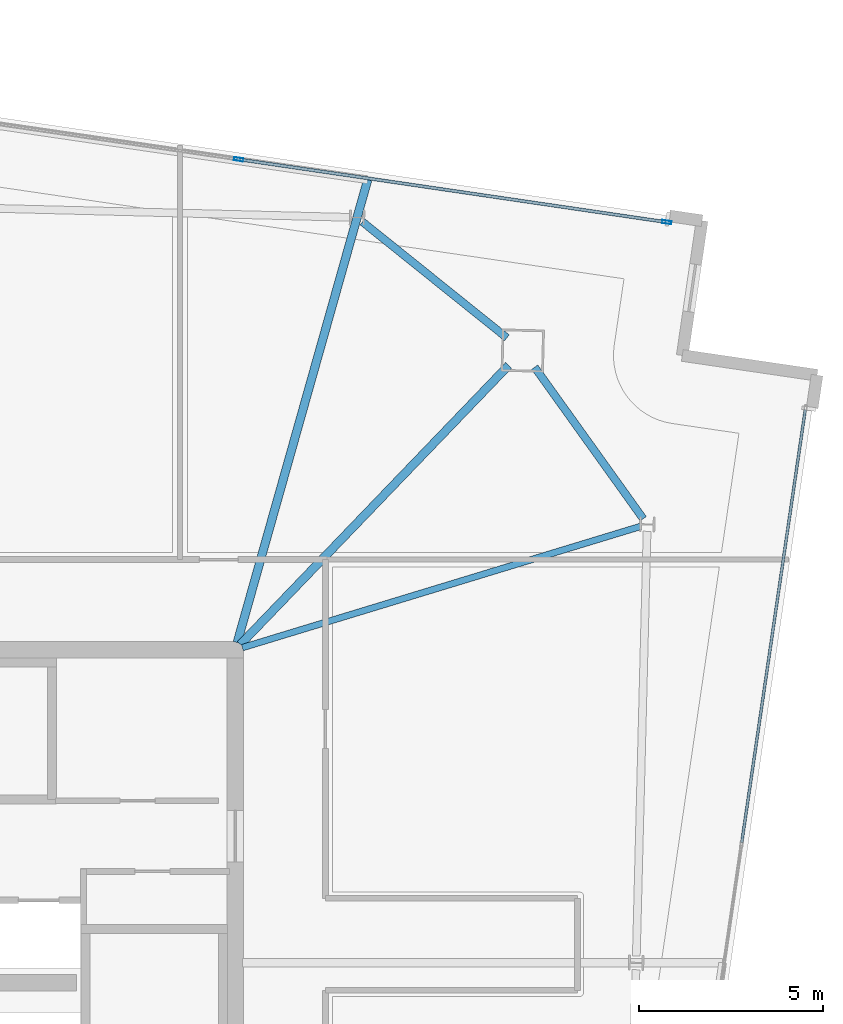
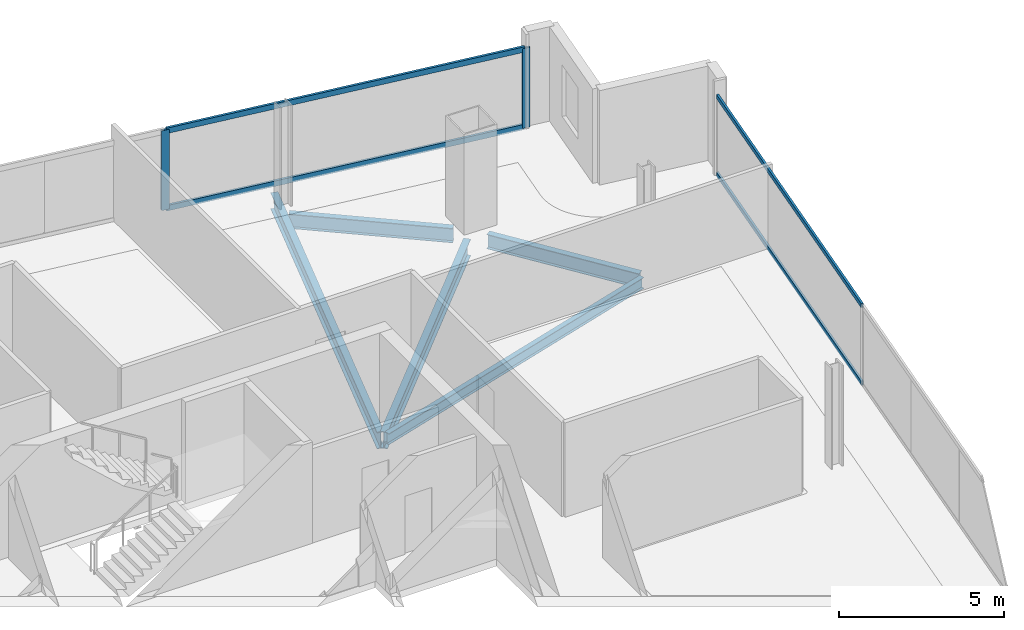
# One storey, part 14 of 22: 6 members, 5 beams, 2 elements without a shape of their own.
"""IFC4 building model written with IfcOpenShell, lengths in metres."""

from ifc_helpers import new_model, si_unit, direction, frame, origin, origin_2d, place, context, subcontext, project, spatial, hollow_rectangle, i_section, extrude, material, material_profile, profile_set, type_object, element, aggregate, save


model = new_model("IFC4")

# Units and contexts
model_context = context("Model", 3, precision=1e-05, world=origin(), true_north=direction((0.0, 1.0)))
body_context = subcontext(model_context, "Body", "Model", "MODEL_VIEW")
ifc_project = project(units=[si_unit("LENGTHUNIT", "METRE"), si_unit("AREAUNIT", "SQUARE_METRE"), si_unit("VOLUMEUNIT", "CUBIC_METRE"), si_unit("PLANEANGLEUNIT", "RADIAN"), si_unit("MASSUNIT", "GRAM", prefix="KILO")], contexts=[model_context])

# Site, building, storey
site_placement = place(None, origin())
site = spatial("IfcSite", under=ifc_project, at=site_placement, CompositionType="ELEMENT")
building_placement = place(site_placement, origin())
building = spatial("IfcBuilding", under=site, at=building_placement, Name="Haldenkirk Collegiate Tower", CompositionType="ELEMENT")
storey_placement = place(building_placement, frame((0.0, 0.0, 302.699951171875)))
storey = spatial("IfcBuildingStorey", under=building, at=storey_placement, Name="L76", CompositionType="ELEMENT", Elevation=302.699951171875)

# Beams
ifc_material_1 = material(Name="Steel ASTM A992 Grade 50", Category="steel")
ifc_material_profile_1 = material_profile(ifc_material_1, i_section(OverallWidth=0.22998046875, OverallDepth=0.616943359375, WebThickness=0.01318359375, FlangeThickness=0.022216796875, at=origin_2d()), Name="W24X94")
ifc_profile_set_1 = profile_set([ifc_material_profile_1], Name="Steel ASTM A992 Grade 50")
beam_type_1 = type_object("IfcBeamType", Name="BM-GIRDER-W24X94", PredefinedType="BEAM", material=ifc_profile_set_1)
beam_1_placement = place(storey_placement, frame((52.428955078125, 41.7294921875, -0.568359375), z_axis=(-0.692944915375, -0.720990529935, 0.0), x_axis=(0.720990529935, -0.692944915375, 0.0)))
element("IfcBeam", 1, at=beam_1_placement, inside=storey, type_object=beam_type_1, Name="L76 primary floor girder 02", PredefinedType="BEAM", context=body_context, shape_type="SweptSolid", body=[
    extrude(i_section(OverallWidth=0.22998046875, OverallDepth=0.616943359375, WebThickness=0.01318359375, FlangeThickness=0.022216796875, at=origin_2d()), origin(), (0.0, 0.0, 1.0), 10.515869140625),
])
beam_2_placement = place(storey_placement, frame((48.6005859375, 46.770263671875, -0.568359375), z_axis=(-0.271367389227, -0.962475838691, 0.0), x_axis=(0.962475838691, -0.271367389227, 0.0)))
element("IfcBeam", 2, at=beam_2_placement, inside=storey, type_object=beam_type_1, Name="L76 primary floor girder 08", PredefinedType="BEAM", context=body_context, shape_type="SweptSolid", body=[
    extrude(i_section(OverallWidth=0.22998046875, OverallDepth=0.616943359375, WebThickness=0.01318359375, FlangeThickness=0.022216796875, at=origin_2d()), origin(), (0.0, 0.0, 1.0), 13.063232421875),
])
ifc_material_profile_2 = material_profile(ifc_material_1, i_section(OverallWidth=0.177978515625, OverallDepth=0.406005859375, WebThickness=0.0078125, FlangeThickness=0.0126953125, at=origin_2d()), Name="W16X40")
ifc_profile_set_2 = profile_set([ifc_material_profile_2], Name="Steel ASTM A992 Grade 50")
beam_type_2 = type_object("IfcBeamType", Name="BM-JOIST-W16X40", PredefinedType="JOIST", material=ifc_profile_set_2)
beam_3_placement = place(storey_placement, frame((56.015380859375, 37.353759765625, -0.462890625), z_axis=(-0.956646687175, -0.291250950071, 0.0), x_axis=(0.291250950071, -0.956646687175, 0.0)))
element("IfcBeam", 3, at=beam_3_placement, inside=storey, type_object=beam_type_2, Name="L76 composite floor joist 07", PredefinedType="JOIST", context=body_context, shape_type="SweptSolid", body=[
    extrude(i_section(OverallWidth=0.177978515625, OverallDepth=0.406005859375, WebThickness=0.0078125, FlangeThickness=0.0126953125, at=origin_2d()), origin(), (0.0, 0.0, 1.0), 11.3095703125),
])
ifc_material_profile_3 = material_profile(ifc_material_1, i_section(OverallWidth=0.2099609375, OverallDepth=0.537109375, WebThickness=0.010986328125, FlangeThickness=0.017333984375, at=origin_2d()), Name="W21X68")
ifc_profile_set_3 = profile_set([ifc_material_profile_3], Name="Steel ASTM A992 Grade 50")
beam_type_3 = type_object("IfcBeamType", Name="BM-SPANDREL-W21X68", PredefinedType="SPANDREL", material=ifc_profile_set_3)
beam_4_placement = place(storey_placement, frame((56.085693359375, 37.561279296875, -0.528564453125), z_axis=(-0.582300220922, 0.812973832737, 0.0), x_axis=(-0.812973832737, -0.582300220922, 0.0)))
element("IfcBeam", 4, at=beam_4_placement, inside=storey, type_object=beam_type_3, Name="L76 perimeter spandrel beam 04", PredefinedType="SPANDREL", context=body_context, shape_type="SweptSolid", body=[
    extrude(i_section(OverallWidth=0.2099609375, OverallDepth=0.537109375, WebThickness=0.010986328125, FlangeThickness=0.017333984375, at=origin_2d()), origin(), (0.0, 0.0, 1.0), 5.064453125),
])
beam_5_placement = place(storey_placement, frame((52.380859375, 42.477294921875, -0.528564453125), z_axis=(-0.779721728928, 0.626126205678, 0.0), x_axis=(-0.626126205678, -0.779721728928, 0.0)))
element("IfcBeam", 5, at=beam_5_placement, inside=storey, type_object=beam_type_3, Name="L76 perimeter spandrel beam 05", PredefinedType="SPANDREL", context=body_context, shape_type="SweptSolid", body=[
    extrude(i_section(OverallWidth=0.2099609375, OverallDepth=0.537109375, WebThickness=0.010986328125, FlangeThickness=0.017333984375, at=origin_2d()), origin(), (0.0, 0.0, 1.0), 5.03076171875),
])

# Curtain wall, members
ifc_material_2 = material(Name="Anodised architectural bronze aluminium", Category="aluminium")
curtain_wall_type_1 = type_object("IfcCurtainWallType", Name="CW-SYS1B-CONVEX-HI", PredefinedType="USERDEFINED", material=ifc_material_2)
curtain_wall_1_placement = place(storey_placement, origin())
curtain_wall_1 = element("IfcCurtainWall", 6, at=curtain_wall_1_placement, inside=storey, type_object=curtain_wall_type_1, Name="L76 Upper tower high-wind convex bronze unitised curtain wall", ObjectType="UNITISED CURTAIN WALL", PredefinedType="USERDEFINED")
ifc_material_profile_4 = material_profile(ifc_material_2, hollow_rectangle(XDim=0.0849609375, YDim=0.25, WallThickness=0.0048828125, at=origin_2d()), Name="CW-MUL-1B")
ifc_profile_set_4 = profile_set([ifc_material_profile_4], Name="Anodised architectural bronze aluminium")
member_type_1 = type_object("IfcMemberType", Name="CW-MUL-1B", PredefinedType="MULLION", material=ifc_profile_set_4)
member_1_placement = place(storey_placement, frame((45.09326171875, 47.325439453125, 0.0), z_axis=(0.0, 0.0, 1.0), x_axis=(0.145220487627, 0.989399317755, 0.0)))
member_1 = element("IfcMember", 7, at=member_1_placement, type_object=member_type_1, Name="CW-1B mullion 3", PredefinedType="MULLION", context=body_context, shape_type="SweptSolid", body=[
    extrude(hollow_rectangle(XDim=0.0849609375, YDim=0.25, WallThickness=0.0048828125, at=origin_2d()), origin(), (0.0, 0.0, 1.0), 2.947998046875),
])
member_2_placement = place(storey_placement, frame((56.72607421875, 45.6181640625, 0.0), z_axis=(0.0, 0.0, 1.0), x_axis=(0.145220487627, 0.989399317755, 0.0)))
member_2 = element("IfcMember", 8, at=member_2_placement, type_object=member_type_1, Name="CW-1B mullion 4", PredefinedType="MULLION", context=body_context, shape_type="SweptSolid", body=[
    extrude(hollow_rectangle(XDim=0.0849609375, YDim=0.25, WallThickness=0.0048828125, at=origin_2d()), origin(), (0.0, 0.0, 1.0), 2.947998046875),
])

curtain_wall_type_2 = type_object("IfcCurtainWallType", Name="CW-SYS2-CONCAVE", PredefinedType="USERDEFINED", material=ifc_material_2)
curtain_wall_2_placement = place(storey_placement, origin())
curtain_wall_2 = element("IfcCurtainWall", 9, at=curtain_wall_2_placement, inside=storey, type_object=curtain_wall_type_2, Name="L76 South concave recessed bronze-anodised curtain wall", ObjectType="UNITISED CURTAIN WALL", PredefinedType="USERDEFINED")
ifc_material_profile_5 = material_profile(ifc_material_2, hollow_rectangle(XDim=0.074951171875, YDim=0.159912109375, WallThickness=0.0048828125, at=origin_2d()), Name="CW-TRN-02")
ifc_profile_set_5 = profile_set([ifc_material_profile_5], Name="Anodised architectural bronze aluminium")
member_type_2 = type_object("IfcMemberType", Name="CW-TRN-02", PredefinedType="USERDEFINED", material=ifc_profile_set_5)
member_3_placement = place(storey_placement, frame((60.488525390625, 40.522705078125, 0.03759765625), z_axis=(-0.145221413897, -0.9893991818, 0.0), x_axis=(0.9893991818, -0.145221413897, 0.0)))
member_3 = element("IfcMember", 10, at=member_3_placement, type_object=member_type_2, Name="CW-02 transom 1.1", ObjectType="TRANSOM", PredefinedType="USERDEFINED", context=body_context, shape_type="SweptSolid", body=[
    extrude(hollow_rectangle(XDim=0.074951171875, YDim=0.159912109375, WallThickness=0.0048828125, at=origin_2d()), origin(), (0.0, 0.0, 1.0), 11.887451171875),
])
member_4_placement = place(storey_placement, frame((60.488525390625, 40.522705078125, 2.91064453125), z_axis=(-0.145221413897, -0.9893991818, 0.0), x_axis=(0.9893991818, -0.145221413897, 0.0)))
member_4 = element("IfcMember", 11, at=member_4_placement, type_object=member_type_2, Name="CW-02 transom 1.2", ObjectType="TRANSOM", PredefinedType="USERDEFINED", context=body_context, shape_type="SweptSolid", body=[
    extrude(hollow_rectangle(XDim=0.074951171875, YDim=0.159912109375, WallThickness=0.0048828125, at=origin_2d()), origin(), (0.0, 0.0, 1.0), 11.887451171875),
])
aggregate(curtain_wall_2, [member_3, member_4])

# Member
ifc_material_profile_6 = material_profile(ifc_material_2, hollow_rectangle(XDim=0.0849609375, YDim=0.199951171875, WallThickness=0.0048828125, at=origin_2d()), Name="CW-TRN-1B")
ifc_profile_set_6 = profile_set([ifc_material_profile_6], Name="Anodised architectural bronze aluminium")
member_type_3 = type_object("IfcMemberType", Name="CW-TRN-1B", PredefinedType="USERDEFINED", material=ifc_profile_set_6)
member_5_placement = place(storey_placement, frame((45.13525390625, 47.3193359375, 0.04248046875), z_axis=(0.989399653335, -0.145218201275, 0.0), x_axis=(0.145218201275, 0.989399653335, 0.0)))
member_5 = element("IfcMember", 12, at=member_5_placement, type_object=member_type_3, Name="CW-1B transom 3.1", ObjectType="TRANSOM", PredefinedType="USERDEFINED", context=body_context, shape_type="SweptSolid", body=[
    extrude(hollow_rectangle(XDim=0.0849609375, YDim=0.199951171875, WallThickness=0.0048828125, at=origin_2d()), origin(), (0.0, 0.0, 1.0), 11.672607421875),
])

member_6_placement = place(storey_placement, frame((45.13525390625, 47.3193359375, 2.905517578125), z_axis=(0.989399653335, -0.145218201275, 0.0), x_axis=(0.145218201275, 0.989399653335, 0.0)))
member_6 = element("IfcMember", 13, at=member_6_placement, type_object=member_type_3, Name="CW-1B transom 3.2", ObjectType="TRANSOM", PredefinedType="USERDEFINED", context=body_context, shape_type="SweptSolid", body=[
    extrude(hollow_rectangle(XDim=0.0849609375, YDim=0.199951171875, WallThickness=0.0048828125, at=origin_2d()), origin(), (0.0, 0.0, 1.0), 11.672607421875),
])

aggregate(curtain_wall_1, [member_1, member_2, member_5, member_6])

save(model, "model.ifc")
